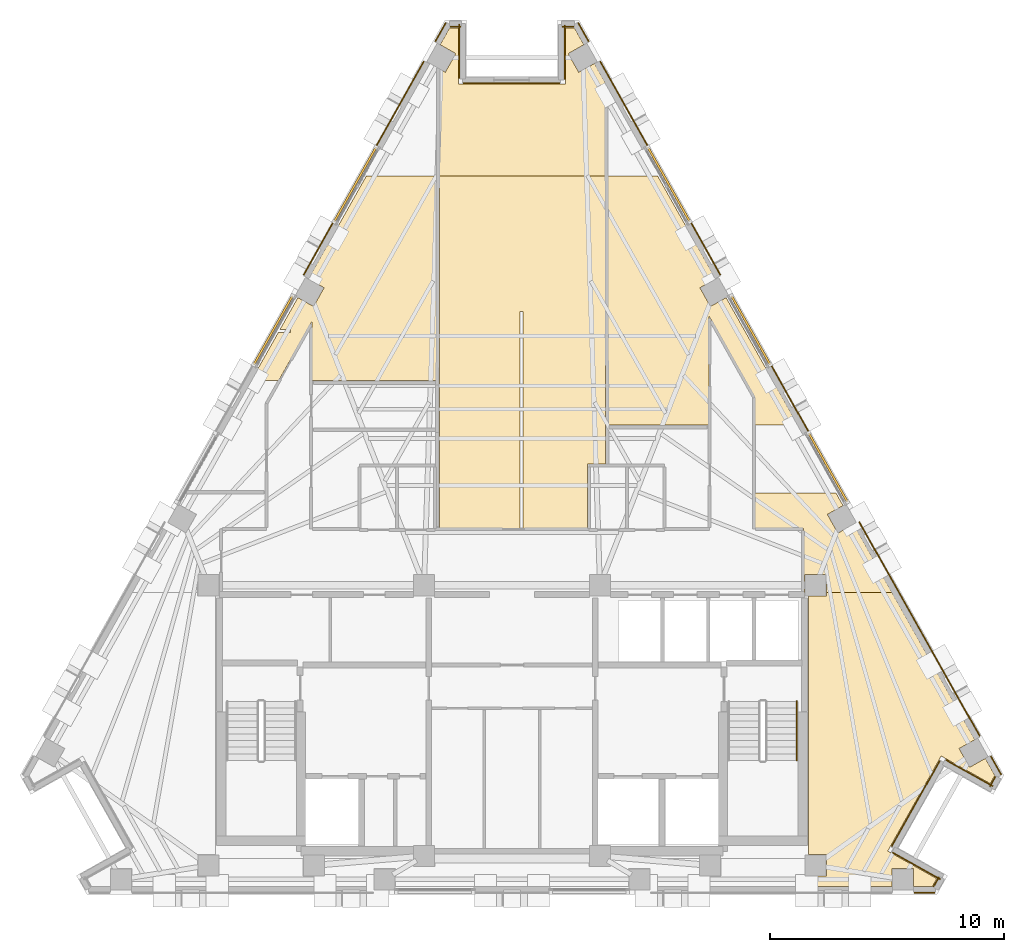
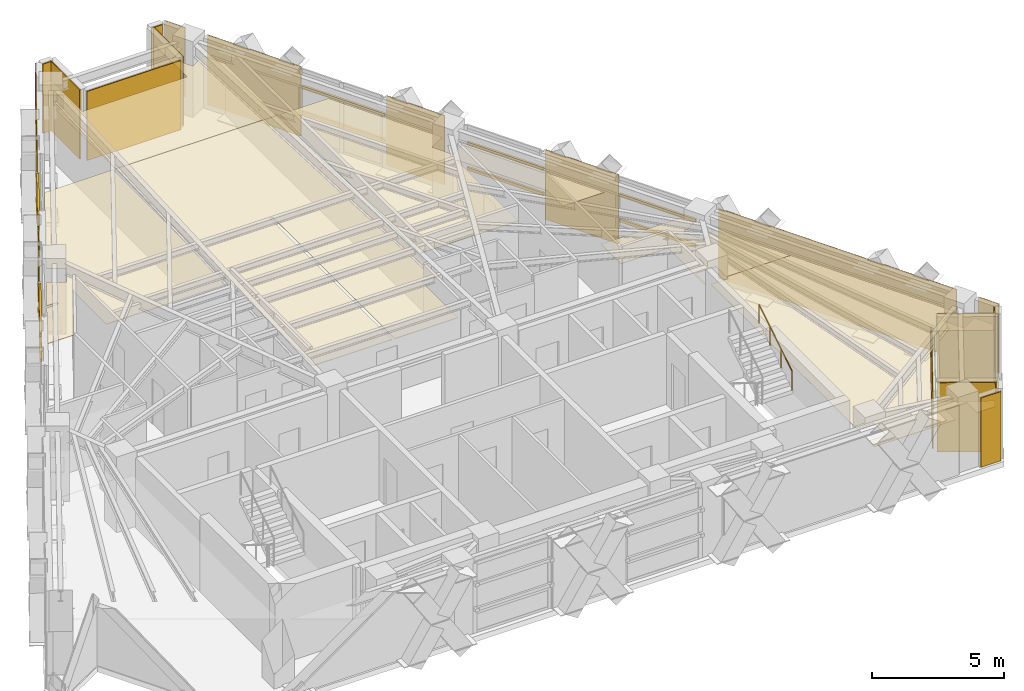
# One storey, part 13 of 13: 26 coverings, 10 shading devices, 1 railing.
"""IFC4 building model written with IfcOpenShell, lengths in metres."""

from ifc_helpers import new_model, si_unit, direction, frame, origin, origin_2d, place, context, subcontext, project, spatial, polyline, rectangle, circle, outline, extrude, material, layer, layer_set, material_profile, profile_set, type_object, element, save


model = new_model("IFC4")

# Units and contexts
model_context = context("Model", 3, precision=1e-05, world=origin(), true_north=direction((0.0, 1.0)))
body_context = subcontext(model_context, "Body", "Model", "MODEL_VIEW")
ifc_project = project(units=[si_unit("LENGTHUNIT", "METRE"), si_unit("AREAUNIT", "SQUARE_METRE"), si_unit("VOLUMEUNIT", "CUBIC_METRE"), si_unit("PLANEANGLEUNIT", "RADIAN"), si_unit("MASSUNIT", "GRAM", prefix="KILO")], contexts=[model_context])

# Site, building, storey
site_placement = place(None, origin())
site = spatial("IfcSite", under=ifc_project, at=site_placement, CompositionType="ELEMENT")
building_placement = place(site_placement, origin())
building = spatial("IfcBuilding", under=site, at=building_placement, Name="Quenlor Broadcast Tower", CompositionType="ELEMENT")
storey_placement = place(building_placement, frame((0.0, 0.0, 214.89990234375)))
storey = spatial("IfcBuildingStorey", under=building, at=storey_placement, Name="L59", CompositionType="ELEMENT", Elevation=214.89990234375)

# Coverings
ifc_material_1 = material(Name="Acoustic Mineral Fibre Board", Category="other")
ifc_layer_1 = layer(ifc_material_1, 0.02490234375)
ifc_layer_set_1 = layer_set([ifc_layer_1], Name="Acoustic Perforated Mineral Tile Ceiling 25")
covering_type_1 = type_object("IfcCoveringType", Name="Acoustic Perforated Mineral Tile Ceiling 25", PredefinedType="CEILING", material=ifc_layer_set_1)
covering_1_placement = place(storey_placement, frame((0.0, 0.0, 2.375)))
element("IfcCovering", 1, at=covering_1_placement, inside=storey, type_object=covering_type_1, Name="L59 Acoustic Ceiling L59-26", PredefinedType="CEILING", context=body_context, shape_type="SweptSolid", body=[
    extrude(outline(polyline([(-8.465087890625, 7.09130859375), (-8.015869140625, 7.889404296875), (-8.685302734375, 8.26611328125), (-6.21923828125, 12.64990234375), (-3.219970703125, 12.64990234375), (-3.219970703125, 3.926513671875), (-8.5400390625, 3.926513671875), (-8.5400390625, 6.443603515625), (-9.955810546875, 3.926513671875), (-11.126220703125, 3.926513671875), (-9.965576171875, 5.989990234375), (-9.449951171875, 5.989990234375), (-9.449951171875, 6.110107421875), (-9.89794921875, 6.110107421875), (-9.13427734375, 7.4677734375), (-8.465087890625, 7.09130859375)])), origin(), (0.0, 0.0, 1.0), 0.025146484375),
])
covering_2_placement = place(storey_placement, frame((0.0, 0.0, 2.375)))
element("IfcCovering", 2, at=covering_2_placement, inside=storey, type_object=covering_type_1, Name="L59 Acoustic Ceiling L59-27", PredefinedType="CEILING", context=body_context, shape_type="SweptSolid", body=[
    extrude(outline(polyline([(3.97998046875, 0.3701171875), (3.22998046875, 0.3701171875), (3.22998046875, -2.3701171875), (0.4599609375, -2.3701171875), (0.4599609375, 6.88720703125), (0.340087890625, 6.88720703125), (0.340087890625, -2.3701171875), (-3.10009765625, -2.3701171875), (-3.10009765625, 12.64990234375), (3.97998046875, 12.64990234375), (3.97998046875, 0.3701171875)])), origin(), (0.0, 0.0, 1.0), 0.025146484375),
])
covering_3_placement = place(storey_placement, frame((0.0, 0.0, 2.375)))
element("IfcCovering", 3, at=covering_3_placement, inside=storey, type_object=covering_type_1, Name="L59 Acoustic Ceiling L59-27-2", PredefinedType="CEILING", context=body_context, shape_type="SweptSolid", body=[
    extrude(outline(polyline([(2.2861328125, 16.572021484375), (2.2861328125, 18.971923828125), (2.6630859375, 18.971923828125), (3.066162109375, 18.255615234375), (2.396728515625, 17.87890625), (2.845947265625, 17.08056640625), (3.515380859375, 17.45703125), (3.97998046875, 16.630859375), (3.97998046875, 12.64990234375), (-3.10009765625, 12.64990234375), (-3.10009765625, 17.223388671875), (-2.845947265625, 17.08056640625), (-2.396728515625, 17.87890625), (-3.066162109375, 18.255615234375), (-2.6630859375, 18.971923828125), (-2.2861328125, 18.971923828125), (-2.2861328125, 16.572021484375), (2.2861328125, 16.572021484375)])), origin(), (0.0, 0.0, 1.0), 0.025146484375),
])
covering_4_placement = place(storey_placement, frame((0.0, 0.0, 2.375)))
element("IfcCovering", 4, at=covering_4_placement, inside=storey, type_object=covering_type_1, Name="L59 Acoustic Ceiling L59-28", PredefinedType="CEILING", context=body_context, shape_type="SweptSolid", body=[
    extrude(outline(polyline([(4.10009765625, 2.028564453125), (4.10009765625, 12.64990234375), (6.21923828125, 12.64990234375), (8.685302734375, 8.26611328125), (8.015869140625, 7.889404296875), (8.465087890625, 7.09130859375), (9.13427734375, 7.4677734375), (12.19384765625, 2.028564453125), (10.360107421875, 2.028564453125), (10.360107421875, 3.208251953125), (8.39990234375, 6.692626953125), (8.39990234375, 2.028564453125), (4.10009765625, 2.028564453125)])), origin(), (0.0, 0.0, 1.0), 0.025146484375),
])
covering_5_placement = place(storey_placement, frame((0.0, 0.0, 2.375)))
element("IfcCovering", 5, at=covering_5_placement, inside=storey, type_object=covering_type_1, Name="L59 Acoustic Ceiling L59-33-2", PredefinedType="CEILING", context=body_context, shape_type="SweptSolid", body=[
    extrude(outline(polyline([(13.407958984375, -4.342041015625), (12.491943359375, -4.342041015625), (12.491943359375, -5.1201171875), (12.43994140625, -5.1201171875), (12.43994140625, -2.3701171875), (10.360107421875, -2.3701171875), (10.360107421875, -0.872314453125), (13.825439453125, -0.872314453125), (14.123046875, -1.401123046875), (13.45361328125, -1.777587890625), (13.90283203125, -2.575927734375), (14.572021484375, -2.199462890625), (16.21484375, -5.1201171875), (13.407958984375, -5.1201171875), (13.407958984375, -4.342041015625)])), origin(), (0.0, 0.0, 1.0), 0.025146484375),
])
covering_6_placement = place(storey_placement, frame((0.0, 0.0, 2.375)))
element("IfcCovering", 6, at=covering_6_placement, inside=storey, type_object=covering_type_1, Name="L59 Acoustic Ceiling L59-33-4", PredefinedType="CEILING", context=body_context, shape_type="SweptSolid", body=[
    extrude(outline(polyline([(13.407958984375, -17.2080078125), (13.407958984375, -16.2919921875), (12.64990234375, -16.2919921875), (12.64990234375, -5.258056640625), (13.407958984375, -5.258056640625), (13.407958984375, -5.1201171875), (16.21484375, -5.1201171875), (19.7421875, -11.390625), (19.07275390625, -11.76708984375), (19.52197265625, -12.5654296875), (20.191162109375, -12.18896484375), (20.597900390625, -12.912109375), (20.400390625, -13.26318359375), (18.30859375, -12.08642578125), (16.029052734375, -16.138916015625), (18.120849609375, -17.315673828125), (17.927001953125, -17.659912109375), (17.1337890625, -17.659912109375), (17.1337890625, -16.89208984375), (16.218017578125, -16.89208984375), (16.218017578125, -17.659912109375), (12.64990234375, -17.659912109375), (12.64990234375, -17.2080078125), (13.407958984375, -17.2080078125)])), origin(), (0.0, 0.0, 1.0), 0.025146484375),
])

# Shading devices
ifc_material_2 = material(Name="Architectural Terracotta Ceramic", Category="masonry")
ifc_material_profile = material_profile(ifc_material_2, rectangle(XDim=0.090087890625, YDim=0.139892578125, at=origin_2d()))
ifc_profile_set = profile_set([ifc_material_profile], Name="Architectural Terracotta Ceramic BAG90x140")
shading_device_type = type_object("IfcShadingDeviceType", Name="Copper Terracotta Baguette Solar Screen 140", PredefinedType="USERDEFINED", material=ifc_profile_set)
for number, where, z_axis, x_axis, name in (
    (7, (5.80029296875, 13.88037109375, 1.170166015625), (0.490232575405, -0.871591660132, 0.0), (0.871591660132, 0.490232575405, 0.0), "L59 Terracotta Baguette Screen 1"),
    (8, (5.80029296875, 13.88037109375, 2.340087890625), (0.490232575405, -0.871591660132, 0.0), (0.871591660132, 0.490232575405, 0.0), "L59 Terracotta Baguette Screen 2"),
):
    element("IfcShadingDevice", number, at=place(storey_placement, frame(where, z_axis=z_axis, x_axis=x_axis)), inside=storey, type_object=shading_device_type, Name=name, ObjectType="BAGUETTE", PredefinedType="USERDEFINED", context=body_context, shape_type="SweptSolid", body=[
        extrude(rectangle(XDim=0.090087890625, YDim=0.139892578125, at=origin_2d()), origin(), (0.0, 0.0, 1.0), 3.639404296875),
    ])
for number, where, z_axis, x_axis, name in (
    (9, (9.3642578125, 7.54443359375, 1.170166015625), (0.490250903893, -0.871581350897, 0.0), (0.871581350897, 0.490250903893, 0.0), "L59 Terracotta Baguette Screen 1"),
    (10, (9.3642578125, 7.54443359375, 2.340087890625), (0.490250903893, -0.871581350897, 0.0), (0.871581350897, 0.490250903893, 0.0), "L59 Terracotta Baguette Screen 2"),
):
    element("IfcShadingDevice", number, at=place(storey_placement, frame(where, z_axis=z_axis, x_axis=x_axis)), inside=storey, type_object=shading_device_type, Name=name, ObjectType="BAGUETTE", PredefinedType="USERDEFINED", context=body_context, shape_type="SweptSolid", body=[
        extrude(rectangle(XDim=0.090087890625, YDim=0.139892578125, at=origin_2d()), origin(), (0.0, 0.0, 1.0), 3.364501953125),
    ])
for number, where, z_axis, x_axis, name in (
    (11, (12.65869140625, 1.68798828125, 1.170166015625), (0.490195776457, -0.871612356925, 0.0), (0.871612356925, 0.490195776457, 0.0), "L59 Terracotta Baguette Screen 1"),
    (12, (12.65869140625, 1.68798828125, 2.340087890625), (0.490195776457, -0.871612356925, 0.0), (0.871612356925, 0.490195776457, 0.0), "L59 Terracotta Baguette Screen 2"),
):
    element("IfcShadingDevice", number, at=place(storey_placement, frame(where, z_axis=z_axis, x_axis=x_axis)), inside=storey, type_object=shading_device_type, Name=name, ObjectType="BAGUETTE", PredefinedType="USERDEFINED", context=body_context, shape_type="SweptSolid", body=[
        extrude(rectangle(XDim=0.090087890625, YDim=0.139892578125, at=origin_2d()), origin(), (0.0, 0.0, 1.0), 3.3642578125),
    ])
for number, where, z_axis, x_axis, name in (
    (13, (-7.58447265625, 10.708251953125, 1.170166015625), (0.490232575405, 0.871591660132, 0.0), (-0.871591660132, 0.490232575405, 0.0), "L59 Terracotta Baguette Screen 1"),
    (14, (-7.58447265625, 10.708251953125, 2.340087890625), (0.490232575405, 0.871591660132, 0.0), (-0.871591660132, 0.490232575405, 0.0), "L59 Terracotta Baguette Screen 2"),
):
    element("IfcShadingDevice", number, at=place(storey_placement, frame(where, z_axis=z_axis, x_axis=x_axis)), inside=storey, type_object=shading_device_type, Name=name, ObjectType="BAGUETTE", PredefinedType="USERDEFINED", context=body_context, shape_type="SweptSolid", body=[
        extrude(rectangle(XDim=0.090087890625, YDim=0.139892578125, at=origin_2d()), origin(), (0.0, 0.0, 1.0), 3.639404296875),
    ])
for number, where, z_axis, x_axis, name in (
    (15, (-11.013671875, 4.612060546875, 1.170166015625), (0.490250903893, 0.871581350897, 0.0), (-0.871581350897, 0.490250903893, 0.0), "L59 Terracotta Baguette Screen 1"),
    (16, (-11.013671875, 4.612060546875, 2.340087890625), (0.490250903893, 0.871581350897, 0.0), (-0.871581350897, 0.490250903893, 0.0), "L59 Terracotta Baguette Screen 2"),
):
    element("IfcShadingDevice", number, at=place(storey_placement, frame(where, z_axis=z_axis, x_axis=x_axis)), inside=storey, type_object=shading_device_type, Name=name, ObjectType="BAGUETTE", PredefinedType="USERDEFINED", context=body_context, shape_type="SweptSolid", body=[
        extrude(rectangle(XDim=0.090087890625, YDim=0.139892578125, at=origin_2d()), origin(), (0.0, 0.0, 1.0), 3.364501953125),
    ])

# Coverings
ifc_material_3 = material(Name="Architectural Terracotta Ceramic", Category="masonry")
ifc_layer_2 = layer(ifc_material_3, 0.044921875)
ifc_layer_set_2 = layer_set([ifc_layer_2], Name="Fluted Terracotta Rainscreen Cladding Panel")
covering_type_2 = type_object("IfcCoveringType", Name="Fluted Terracotta Rainscreen Cladding Panel", PredefinedType="CLADDING", material=ifc_layer_set_2)
covering_7_placement = place(storey_placement, frame((0.0, 0.0, 0.02001953125)))
element("IfcCovering", 17, at=covering_7_placement, inside=storey, type_object=covering_type_2, Name="L59 Terracotta Rainscreen Cladding L59-SHD-SS0", PredefinedType="CLADDING", context=body_context, shape_type="SweptSolid", body=[
    extrude(outline(polyline([(18.035888671875, -17.886962890625), (17.160888671875, -17.886962890625), (17.160888671875, -17.931884765625), (18.035888671875, -17.931884765625), (18.035888671875, -17.886962890625)])), origin(), (0.0, 0.0, 1.0), 3.2099609375),
])
covering_8_placement = place(storey_placement, frame((0.0, 0.0, 0.02001953125)))
element("IfcCovering", 18, at=covering_8_placement, inside=storey, type_object=covering_type_2, Name="L59 Terracotta Rainscreen Cladding L59-SHD-NES0", PredefinedType="CLADDING", context=body_context, shape_type="SweptSolid", body=[
    extrude(outline(polyline([(2.8076171875, 19.17822265625), (3.250732421875, 18.390380859375), (3.2900390625, 18.412353515625), (2.8466796875, 19.2001953125), (2.8076171875, 19.17822265625)])), origin(), (0.0, 0.0, 1.0), 3.2099609375),
])
covering_9_placement = place(storey_placement, frame((0.0, 0.0, 0.02001953125)))
element("IfcCovering", 19, at=covering_9_placement, inside=storey, type_object=covering_type_2, Name="L59 Terracotta Rainscreen Cladding L59-SHD-NES1", PredefinedType="CLADDING", context=body_context, shape_type="SweptSolid", body=[
    extrude(outline(polyline([(20.402099609375, -12.10107421875), (20.845458984375, -12.888916015625), (20.884521484375, -12.866943359375), (20.44140625, -12.0791015625), (20.402099609375, -12.10107421875)])), origin(), (0.0, 0.0, 1.0), 3.2099609375),
])
covering_10_placement = place(storey_placement, frame((0.0, 0.0, 0.02001953125)))
element("IfcCovering", 20, at=covering_10_placement, inside=storey, type_object=covering_type_2, Name="L59 Terracotta Rainscreen Cladding L59-NEA-SP1", PredefinedType="CLADDING", context=body_context, shape_type="SweptSolid", body=[
    extrude(outline(polyline([(3.744873046875, 17.532470703125), (5.76806640625, 13.935546875), (5.80712890625, 13.95751953125), (3.7841796875, 17.554443359375), (3.744873046875, 17.532470703125)])), origin(), (0.0, 0.0, 1.0), 3.2099609375),
])
covering_11_placement = place(storey_placement, frame((0.0, 0.0, 0.02001953125)))
element("IfcCovering", 21, at=covering_11_placement, inside=storey, type_object=covering_type_2, Name="L59 Terracotta Rainscreen Cladding L59-NEA-SP2", PredefinedType="CLADDING", context=body_context, shape_type="SweptSolid", body=[
    extrude(outline(polyline([(7.614990234375, 10.652099609375), (8.86865234375, 8.42333984375), (8.907958984375, 8.4453125), (7.654296875, 10.674072265625), (7.614990234375, 10.652099609375)])), origin(), (0.0, 0.0, 1.0), 3.2099609375),
])
covering_12_placement = place(storey_placement, frame((0.0, 0.0, 0.02001953125)))
element("IfcCovering", 22, at=covering_12_placement, inside=storey, type_object=covering_type_2, Name="L59 Terracotta Rainscreen Cladding L59-EW-NEC", PredefinedType="CLADDING", context=body_context, shape_type="SweptSolid", body=[
    extrude(outline(polyline([(14.7919921875, -2.106689453125), (19.935302734375, -11.250732421875), (19.974609375, -11.228759765625), (14.831298828125, -2.084716796875), (14.7919921875, -2.106689453125)])), origin(), (0.0, 0.0, 1.0), 3.2099609375),
])
covering_13_placement = place(storey_placement, frame((0.0, 0.0, 0.02001953125)))
element("IfcCovering", 23, at=covering_13_placement, inside=storey, type_object=covering_type_2, Name="L59 Terracotta Rainscreen Cladding L59-NE-SP1", PredefinedType="CLADDING", context=body_context, shape_type="SweptSolid", body=[
    extrude(outline(polyline([(11.044189453125, 4.555908203125), (12.626220703125, 1.7431640625), (12.66552734375, 1.76513671875), (11.08349609375, 4.577880859375), (11.044189453125, 4.555908203125)])), origin(), (0.0, 0.0, 1.0), 3.2099609375),
])
covering_14_placement = place(storey_placement, frame((0.0, 0.0, 0.02001953125)))
element("IfcCovering", 24, at=covering_14_placement, inside=storey, type_object=covering_type_2, Name="L59 Terracotta Rainscreen Cladding L59-SHD-NWS1", PredefinedType="CLADDING", context=body_context, shape_type="SweptSolid", body=[
    extrude(outline(polyline([(-3.250732421875, 18.390380859375), (-2.8076171875, 19.17822265625), (-2.8466796875, 19.2001953125), (-3.2900390625, 18.412353515625), (-3.250732421875, 18.390380859375)])), origin(), (0.0, 0.0, 1.0), 3.2099609375),
])
covering_15_placement = place(storey_placement, frame((0.0, 0.0, 0.02001953125)))
element("IfcCovering", 25, at=covering_15_placement, inside=storey, type_object=covering_type_2, Name="L59 Terracotta Rainscreen Cladding L59-NWC-SP1", PredefinedType="CLADDING", context=body_context, shape_type="SweptSolid", body=[
    extrude(outline(polyline([(-8.86865234375, 8.42333984375), (-7.614990234375, 10.652099609375), (-7.654296875, 10.674072265625), (-8.907958984375, 8.4453125), (-8.86865234375, 8.42333984375)])), origin(), (0.0, 0.0, 1.0), 3.2099609375),
])
covering_16_placement = place(storey_placement, frame((0.0, 0.0, 0.02001953125)))
element("IfcCovering", 26, at=covering_16_placement, inside=storey, type_object=covering_type_2, Name="L59 Terracotta Rainscreen Cladding L59-NWC-SP2", PredefinedType="CLADDING", context=body_context, shape_type="SweptSolid", body=[
    extrude(outline(polyline([(-5.76806640625, 13.935546875), (-3.744873046875, 17.532470703125), (-3.7841796875, 17.554443359375), (-5.80712890625, 13.95751953125), (-5.76806640625, 13.935546875)])), origin(), (0.0, 0.0, 1.0), 3.2099609375),
])
covering_17_placement = place(storey_placement, frame((0.0, 0.0, 0.02001953125)))
element("IfcCovering", 27, at=covering_17_placement, inside=storey, type_object=covering_type_2, Name="L59 Terracotta Rainscreen Cladding L59-CNR-01", PredefinedType="CLADDING", context=body_context, shape_type="SweptSolid", body=[
    extrude(outline(polyline([(18.284912109375, -17.329833984375), (16.245361328125, -16.1826171875), (16.223388671875, -16.2216796875), (18.262939453125, -17.368896484375), (18.284912109375, -17.329833984375)])), origin(), (0.0, 0.0, 1.0), 3.2099609375),
])
covering_18_placement = place(storey_placement, frame((0.0, 0.0, 0.02001953125)))
element("IfcCovering", 28, at=covering_18_placement, inside=storey, type_object=covering_type_2, Name="L59 Terracotta Rainscreen Cladding L59-CNR-02", PredefinedType="CLADDING", context=body_context, shape_type="SweptSolid", body=[
    extrude(outline(polyline([(16.2109375, -15.954345703125), (18.264892578125, -12.302734375), (18.225830078125, -12.28076171875), (16.171630859375, -15.932373046875), (16.2109375, -15.954345703125)])), origin(), (0.0, 0.0, 1.0), 2.681884765625),
])
covering_19_placement = place(storey_placement, frame((0.0, 0.0, 0.02001953125)))
element("IfcCovering", 29, at=covering_19_placement, inside=storey, type_object=covering_type_2, Name="L59 Terracotta Rainscreen Cladding L59-CNR-03", PredefinedType="CLADDING", context=body_context, shape_type="SweptSolid", body=[
    extrude(outline(polyline([(18.493408203125, -12.268310546875), (20.497802734375, -13.39599609375), (20.52001953125, -13.356689453125), (18.515380859375, -12.22900390625), (18.493408203125, -12.268310546875)])), origin(), (0.0, 0.0, 1.0), 3.2099609375),
])
covering_20_placement = place(storey_placement, frame((0.0, 0.0, 0.02001953125)))
element("IfcCovering", 30, at=covering_20_placement, inside=storey, type_object=covering_type_2, Name="L59 Terracotta Rainscreen Cladding L59-CNR-04", PredefinedType="CLADDING", context=body_context, shape_type="SweptSolid", body=[
    extrude(outline(polyline([(20.40576171875, -13.39208984375), (20.64306640625, -12.970458984375), (20.60400390625, -12.948486328125), (20.36669921875, -13.3701171875), (20.40576171875, -13.39208984375)])), origin(), (0.0, 0.0, 1.0), 3.2099609375),
])
covering_21_placement = place(storey_placement, frame((0.0, 0.0, 0.02001953125)))
element("IfcCovering", 31, at=covering_21_placement, inside=storey, type_object=covering_type_2, Name="L59 Terracotta Rainscreen Cladding L59-CNR-06", PredefinedType="CLADDING", context=body_context, shape_type="SweptSolid", body=[
    extrude(outline(polyline([(2.62841796875, 19.0400390625), (2.13623046875, 19.0400390625), (2.13623046875, 18.9951171875), (2.62841796875, 18.9951171875), (2.62841796875, 19.0400390625)])), origin(), (0.0, 0.0, 1.0), 3.2099609375),
])
covering_22_placement = place(storey_placement, frame((0.0, 0.0, 0.02001953125)))
element("IfcCovering", 32, at=covering_22_placement, inside=storey, type_object=covering_type_2, Name="L59 Terracotta Rainscreen Cladding L59-CNR-07", PredefinedType="CLADDING", context=body_context, shape_type="SweptSolid", body=[
    extrude(outline(polyline([(2.21826171875, 19.08203125), (2.21826171875, 16.781982421875), (2.26318359375, 16.781982421875), (2.26318359375, 19.08203125), (2.21826171875, 19.08203125)])), origin(), (0.0, 0.0, 1.0), 3.2099609375),
])
covering_23_placement = place(storey_placement, frame((0.0, 0.0, 0.02001953125)))
element("IfcCovering", 33, at=covering_23_placement, inside=storey, type_object=covering_type_2, Name="L59 Terracotta Rainscreen Cladding L59-CNR-08", PredefinedType="CLADDING", context=body_context, shape_type="SweptSolid", body=[
    extrude(outline(polyline([(2.0361328125, 16.639892578125), (-2.076171875, 16.639892578125), (-2.076171875, 16.594970703125), (2.0361328125, 16.594970703125), (2.0361328125, 16.639892578125)])), origin(), (0.0, 0.0, 1.0), 3.2099609375),
])
covering_24_placement = place(storey_placement, frame((0.0, 0.0, 0.02001953125)))
element("IfcCovering", 34, at=covering_24_placement, inside=storey, type_object=covering_type_2, Name="L59 Terracotta Rainscreen Cladding L59-CNR-09", PredefinedType="CLADDING", context=body_context, shape_type="SweptSolid", body=[
    extrude(outline(polyline([(-2.21826171875, 16.822021484375), (-2.21826171875, 19.1220703125), (-2.26318359375, 19.1220703125), (-2.26318359375, 16.822021484375), (-2.21826171875, 16.822021484375)])), origin(), (0.0, 0.0, 1.0), 3.2099609375),
])
covering_25_placement = place(storey_placement, frame((0.0, 0.0, 0.02001953125)))
element("IfcCovering", 35, at=covering_25_placement, inside=storey, type_object=covering_type_2, Name="L59 Terracotta Rainscreen Cladding L59-CNR-10", PredefinedType="CLADDING", context=body_context, shape_type="SweptSolid", body=[
    extrude(outline(polyline([(-2.17626953125, 19.0400390625), (-2.62841796875, 19.0400390625), (-2.62841796875, 18.9951171875), (-2.17626953125, 18.9951171875), (-2.17626953125, 19.0400390625)])), origin(), (0.0, 0.0, 1.0), 3.2099609375),
])
covering_26_placement = place(storey_placement, frame((0.0, 0.0, 0.02001953125)))
element("IfcCovering", 36, at=covering_26_placement, inside=storey, type_object=covering_type_2, Name="L59 Terracotta Rainscreen Cladding L59-CNR-18", PredefinedType="CLADDING", context=body_context, shape_type="SweptSolid", body=[
    extrude(outline(polyline([(17.99853515625, -17.671630859375), (18.234130859375, -17.2529296875), (18.19482421875, -17.23095703125), (17.959228515625, -17.649658203125), (17.99853515625, -17.671630859375)])), origin(), (0.0, 0.0, 1.0), 3.2099609375),
])

# Railing
ifc_material_4 = material(Name="Anodised Aluminium", Category="aluminium")
railing_type = type_object("IfcRailingType", Name="Stainless Aluminium Wall Handrail 900", PredefinedType="HANDRAIL", material=ifc_material_4)
railing_placement = place(storey_placement, frame((12.14990234375, -12.27001953125, 1.925048828125)))
element("IfcRailing", 37, at=railing_placement, inside=storey, type_object=railing_type, Name="L59 ST-2 stair handrail 2", PredefinedType="HANDRAIL", context=body_context, shape_type="SweptSolid", body=[
    extrude(circle(Radius=0.02392578125, at=origin_2d()), frame((0.0, 0.0, 0.8759765625), z_axis=(0.0, 0.848007534815, 0.529984170421), x_axis=(-1.0, 0.0, 0.0)), (0.0, 0.0, 1.0), 2.9716796875),
    extrude(circle(Radius=0.02099609375, at=origin_2d()), origin(), (0.0, 0.0, 1.0), 0.851806640625),
    extrude(circle(Radius=0.02099609375, at=origin_2d()), frame((0.0, 0.840087890625, 0.52490234375)), (0.0, 0.0, 1.0), 0.851806640625),
    extrude(circle(Radius=0.02099609375, at=origin_2d()), frame((0.0, 1.679931640625, 1.050048828125)), (0.0, 0.0, 1.0), 0.851806640625),
    extrude(circle(Radius=0.02099609375, at=origin_2d()), frame((0.0, 2.52001953125, 1.574951171875)), (0.0, 0.0, 1.0), 0.851806640625),
])

save(model, "model.ifc")
